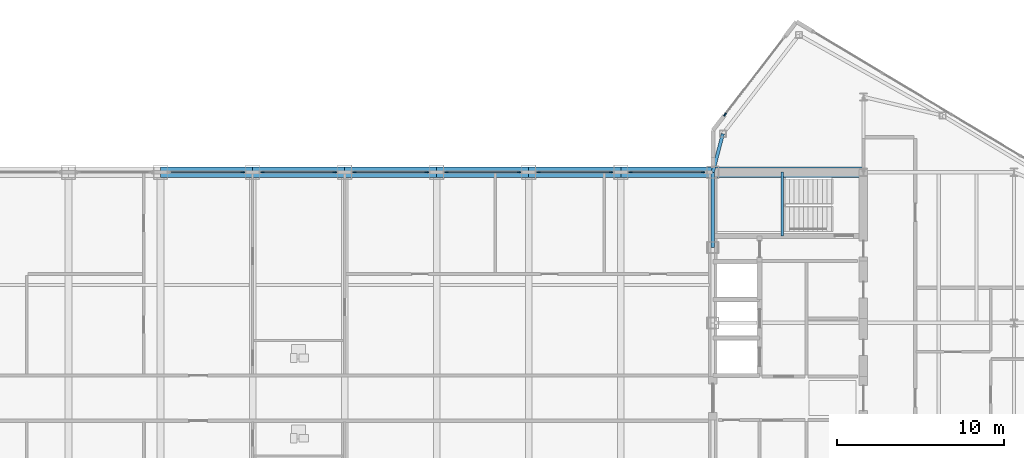
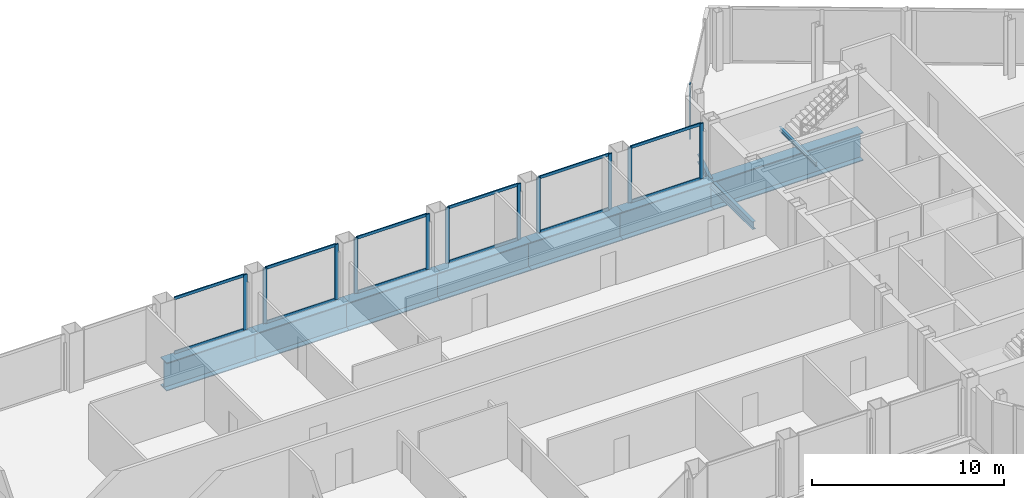
# One storey, part 16 of 29: 24 members, 10 beams, 7 elements without a shape of their own.
"""IFC4 building model written with IfcOpenShell, lengths in metres."""

from ifc_helpers import new_model, si_unit, direction, frame, origin, origin_2d, place, context, subcontext, project, spatial, rectangle, i_section, extrude, source, transform, mapped, material, layer, layer_set, material_profile, profile_set, type_object, type_shapes, element, aggregate, save


model = new_model("IFC4")

# Units and contexts
model_context = context("Model", 3, precision=1e-05, world=origin(), true_north=direction((0.0, 1.0)))
body_context = subcontext(model_context, "Body", "Model", "MODEL_VIEW")
ifc_project = project(units=[si_unit("LENGTHUNIT", "METRE"), si_unit("AREAUNIT", "SQUARE_METRE"), si_unit("VOLUMEUNIT", "CUBIC_METRE"), si_unit("PLANEANGLEUNIT", "RADIAN"), si_unit("MASSUNIT", "GRAM", prefix="KILO")], contexts=[model_context])

# Site, building, storey
site_placement = place(None, origin())
site = spatial("IfcSite", under=ifc_project, at=site_placement, CompositionType="ELEMENT")
building_placement = place(site_placement, origin())
building = spatial("IfcBuilding", under=site, at=building_placement, Name="Seokmaru Belvedere", CompositionType="ELEMENT")
storey_placement = place(building_placement, frame((0.0, 0.0, 239.39990234375)))
storey = spatial("IfcBuildingStorey", under=building, at=storey_placement, Name="L63", CompositionType="ELEMENT", Elevation=239.39990234375)

# Beams
ifc_material_1 = material(Name="Steel SM355 (355 MPa)", Category="steel")
ifc_material_profile_1 = material_profile(ifc_material_1, i_section(OverallWidth=0.199951171875, OverallDepth=0.5, WebThickness=0.010009765625, FlangeThickness=0.01611328125, at=origin_2d()), Name="H-500x200x10x16")
ifc_profile_set_1 = profile_set([ifc_material_profile_1], Name="Steel SM355 (355 MPa)")
beam_type_1 = type_object("IfcBeamType", Name="Perimeter Spandrel Beam H-500", PredefinedType="SPANDREL", material=ifc_profile_set_1)
shared_shape_1 = source(origin(), body_context, "Body", "SweptSolid", [
    extrude(i_section(OverallWidth=0.199951171875, OverallDepth=0.5, WebThickness=0.010009765625, FlangeThickness=0.01611328125, at=origin_2d()), origin(), (0.0, 0.0, 1.0), 4.5),
])
beam_1_placement = place(storey_placement, frame((27.5, 9.0, -0.469970703125), z_axis=(0.0, 1.0, 0.0), x_axis=(-1.0, 0.0, 0.0)))
element("IfcBeam", 1, at=beam_1_placement, inside=storey, type_object=beam_type_1, Name="L63 E Portal Spine Spandrel 5", PredefinedType="SPANDREL", context=body_context, shape_type="MappedRepresentation", body=[
    mapped(shared_shape_1, transform((0.0, 0.0, 0.0), scale=1.0)),
])
shared_shape_2 = source(origin(), body_context, "Body", "SweptSolid", [
    extrude(i_section(OverallWidth=0.199951171875, OverallDepth=0.5, WebThickness=0.010009765625, FlangeThickness=0.01611328125, at=origin_2d()), origin(), (0.0, 0.0, 1.0), 2.373046875),
])
type_shapes(beam_type_1, [shared_shape_1, shared_shape_2])
beam_2_placement = place(storey_placement, frame((28.10009765625, 15.7958984375, -0.469970703125), z_axis=(-0.252882558842, -0.967496982648, 0.0), x_axis=(0.967496982648, -0.252882558842, 0.0)))
element("IfcBeam", 2, at=beam_2_placement, inside=storey, type_object=beam_type_1, Name="L63 E Shoulder Spine Spandrel N", PredefinedType="SPANDREL", context=body_context, shape_type="MappedRepresentation", body=[
    mapped(shared_shape_2, transform((0.0, 0.0, 0.0), scale=1.0)),
])
ifc_material_2 = material(Name="Steel HSA650 (650 MPa)", Category="steel")
ifc_material_profile_2 = material_profile(ifc_material_2, i_section(OverallWidth=0.64990234375, OverallDepth=1.800048828125, WebThickness=0.031982421875, FlangeThickness=0.054931640625, at=origin_2d()), Name="BH-1800x650x32x55")
ifc_profile_set_2 = profile_set([ifc_material_profile_2], Name="Steel HSA650 (650 MPa)")
beam_type_2 = type_object("IfcBeamType", Name="Sky-Gate Upper Bridge Chord Girder BH-1800", PredefinedType="BEAM", material=ifc_profile_set_2)
shared_shape_3 = source(origin(), body_context, "Body", "SweptSolid", [
    extrude(i_section(OverallWidth=0.64990234375, OverallDepth=1.800048828125, WebThickness=0.031982421875, FlangeThickness=0.054931640625, at=origin_2d()), origin(), (0.0, 0.0, 1.0), 9.0),
])
beam_3_placement = place(storey_placement, frame((27.5, 13.5, -1.119873046875), z_axis=(1.0, 0.0, 0.0), x_axis=(0.0, 1.0, 0.0)))
element("IfcBeam", 3, at=beam_3_placement, inside=storey, type_object=beam_type_2, Name="L63 Sky-Gate Transfer Truss Chord N-12", PredefinedType="BEAM", context=body_context, shape_type="MappedRepresentation", body=[
    mapped(shared_shape_3, transform((0.0, 0.0, 0.0), scale=1.0)),
])
shared_shape_4 = source(origin(), body_context, "Body", "SweptSolid", [
    extrude(i_section(OverallWidth=0.64990234375, OverallDepth=1.800048828125, WebThickness=0.031982421875, FlangeThickness=0.054931640625, at=origin_2d()), origin(), (0.0, 0.0, 1.0), 5.5),
])
type_shapes(beam_type_2, [shared_shape_3, shared_shape_4])
for number, where, z_axis, x_axis, name in (
    (4, (-5.5, 13.5, -1.119873046875), (1.0, 0.0, 0.0), (0.0, 1.0, 0.0), "L63 Sky-Gate Transfer Truss Chord N-06"),
    (5, (0.0, 13.5, -1.119873046875), (1.0, 0.0, 0.0), (0.0, 1.0, 0.0), "L63 Sky-Gate Transfer Truss Chord N-07"),
    (6, (5.5, 13.5, -1.119873046875), (1.0, 0.0, 0.0), (0.0, 1.0, 0.0), "L63 Sky-Gate Transfer Truss Chord N-08"),
    (7, (11.0, 13.5, -1.119873046875), (1.0, 0.0, 0.0), (0.0, 1.0, 0.0), "L63 Sky-Gate Transfer Truss Chord N-09"),
    (8, (16.5, 13.5, -1.119873046875), (1.0, 0.0, 0.0), (0.0, 1.0, 0.0), "L63 Sky-Gate Transfer Truss Chord N-10"),
    (9, (22.0, 13.5, -1.119873046875), (1.0, 0.0, 0.0), (0.0, 1.0, 0.0), "L63 Sky-Gate Transfer Truss Chord N-11"),
):
    element("IfcBeam", number, at=place(storey_placement, frame(where, z_axis=z_axis, x_axis=x_axis)), inside=storey, type_object=beam_type_2, Name=name, PredefinedType="BEAM", context=body_context, shape_type="MappedRepresentation", body=[
        mapped(shared_shape_4, transform((0.0, 0.0, 0.0), scale=1.0)),
    ])

# Curtain wall, members
ifc_material_3 = material(Name="Bronze Triple Insulating Glass", Category="glass")
ifc_layer = layer(ifc_material_3, 0.219970703125)
ifc_layer_set = layer_set([ifc_layer], Name="Bronze Triple Insulating Glass")
curtain_wall_type = type_object("IfcCurtainWallType", Name="Sky-Gate Bridge Panorama Curtain Wall System CW-6", PredefinedType="NOTDEFINED", material=ifc_layer_set)
curtain_wall_1_placement = place(storey_placement, origin())
curtain_wall_1 = element("IfcCurtainWall", 10, at=curtain_wall_1_placement, inside=storey, type_object=curtain_wall_type, Name="L63 Curtain Wall BR_N05", PredefinedType="NOTDEFINED")
ifc_material_4 = material(Name="Anodised Bronze Aluminium", Category="aluminium")
ifc_material_profile_3 = material_profile(ifc_material_4, rectangle(XDim=0.074951171875, YDim=0.179931640625, at=origin_2d()), Name="CW-T-75x180")
ifc_profile_set_3 = profile_set([ifc_material_profile_3], Name="Anodised Bronze Aluminium")
member_type_1 = type_object("IfcMemberType", Name="Bronze Unitised Transom 75x180", PredefinedType="USERDEFINED", material=ifc_profile_set_3)
shared_shape_5 = source(origin(), body_context, "Body", "SweptSolid", [
    extrude(rectangle(XDim=0.074951171875, YDim=0.179931640625, at=origin_2d()), origin(), (0.0, 0.0, 1.0), 4.240234375),
])
type_shapes(member_type_1, [shared_shape_5])
member_1_placement = place(storey_placement, frame((-0.6298828125, 13.5, 0.03759765625), z_axis=(-1.0, 0.0, 0.0), x_axis=(0.0, -1.0, 0.0)))
member_1 = element("IfcMember", 11, at=member_1_placement, type_object=member_type_1, Name="CW:L63:BR_N05 Continuous Transom 1", ObjectType="TRANSOM", PredefinedType="USERDEFINED", context=body_context, shape_type="MappedRepresentation", body=[
    mapped(shared_shape_5, transform((0.0, 0.0, 0.0), scale=1.0)),
])
member_2_placement = place(storey_placement, frame((-0.6298828125, 13.5, 3.49267578125), z_axis=(-1.0, 0.0, 0.0), x_axis=(0.0, -1.0, 0.0)))
member_2 = element("IfcMember", 12, at=member_2_placement, type_object=member_type_1, Name="CW:L63:BR_N05 Continuous Transom 2", ObjectType="TRANSOM", PredefinedType="USERDEFINED", context=body_context, shape_type="MappedRepresentation", body=[
    mapped(shared_shape_5, transform((0.0, 0.0, 0.0), scale=1.0)),
])

curtain_wall_2_placement = place(storey_placement, origin())
curtain_wall_2 = element("IfcCurtainWall", 13, at=curtain_wall_2_placement, inside=storey, type_object=curtain_wall_type, Name="L63 Curtain Wall BR_N06", PredefinedType="NOTDEFINED")
member_3_placement = place(storey_placement, frame((4.8701171875, 13.5, 0.03759765625), z_axis=(-1.0, 0.0, 0.0), x_axis=(0.0, -1.0, 0.0)))
member_3 = element("IfcMember", 14, at=member_3_placement, type_object=member_type_1, Name="CW:L63:BR_N06 Continuous Transom 1", ObjectType="TRANSOM", PredefinedType="USERDEFINED", context=body_context, shape_type="MappedRepresentation", body=[
    mapped(shared_shape_5, transform((0.0, 0.0, 0.0), scale=1.0)),
])
member_4_placement = place(storey_placement, frame((4.8701171875, 13.5, 3.49267578125), z_axis=(-1.0, 0.0, 0.0), x_axis=(0.0, -1.0, 0.0)))
member_4 = element("IfcMember", 15, at=member_4_placement, type_object=member_type_1, Name="CW:L63:BR_N06 Continuous Transom 2", ObjectType="TRANSOM", PredefinedType="USERDEFINED", context=body_context, shape_type="MappedRepresentation", body=[
    mapped(shared_shape_5, transform((0.0, 0.0, 0.0), scale=1.0)),
])

curtain_wall_3_placement = place(storey_placement, origin())
curtain_wall_3 = element("IfcCurtainWall", 16, at=curtain_wall_3_placement, inside=storey, type_object=curtain_wall_type, Name="L63 Curtain Wall BR_N07", PredefinedType="NOTDEFINED")
member_5_placement = place(storey_placement, frame((10.3701171875, 13.5, 0.03759765625), z_axis=(-1.0, 0.0, 0.0), x_axis=(0.0, -1.0, 0.0)))
member_5 = element("IfcMember", 17, at=member_5_placement, type_object=member_type_1, Name="CW:L63:BR_N07 Continuous Transom 1", ObjectType="TRANSOM", PredefinedType="USERDEFINED", context=body_context, shape_type="MappedRepresentation", body=[
    mapped(shared_shape_5, transform((0.0, 0.0, 0.0), scale=1.0)),
])
member_6_placement = place(storey_placement, frame((10.3701171875, 13.5, 3.49267578125), z_axis=(-1.0, 0.0, 0.0), x_axis=(0.0, -1.0, 0.0)))
member_6 = element("IfcMember", 18, at=member_6_placement, type_object=member_type_1, Name="CW:L63:BR_N07 Continuous Transom 2", ObjectType="TRANSOM", PredefinedType="USERDEFINED", context=body_context, shape_type="MappedRepresentation", body=[
    mapped(shared_shape_5, transform((0.0, 0.0, 0.0), scale=1.0)),
])

curtain_wall_4_placement = place(storey_placement, origin())
curtain_wall_4 = element("IfcCurtainWall", 19, at=curtain_wall_4_placement, inside=storey, type_object=curtain_wall_type, Name="L63 Curtain Wall BR_N08", PredefinedType="NOTDEFINED")
member_7_placement = place(storey_placement, frame((15.8701171875, 13.5, 0.03759765625), z_axis=(-1.0, 0.0, 0.0), x_axis=(0.0, -1.0, 0.0)))
member_7 = element("IfcMember", 20, at=member_7_placement, type_object=member_type_1, Name="CW:L63:BR_N08 Continuous Transom 1", ObjectType="TRANSOM", PredefinedType="USERDEFINED", context=body_context, shape_type="MappedRepresentation", body=[
    mapped(shared_shape_5, transform((0.0, 0.0, 0.0), scale=1.0)),
])
member_8_placement = place(storey_placement, frame((15.8701171875, 13.5, 3.49267578125), z_axis=(-1.0, 0.0, 0.0), x_axis=(0.0, -1.0, 0.0)))
member_8 = element("IfcMember", 21, at=member_8_placement, type_object=member_type_1, Name="CW:L63:BR_N08 Continuous Transom 2", ObjectType="TRANSOM", PredefinedType="USERDEFINED", context=body_context, shape_type="MappedRepresentation", body=[
    mapped(shared_shape_5, transform((0.0, 0.0, 0.0), scale=1.0)),
])

curtain_wall_5_placement = place(storey_placement, origin())
curtain_wall_5 = element("IfcCurtainWall", 22, at=curtain_wall_5_placement, inside=storey, type_object=curtain_wall_type, Name="L63 Curtain Wall BR_N09", PredefinedType="NOTDEFINED")
member_9_placement = place(storey_placement, frame((21.3701171875, 13.5, 0.03759765625), z_axis=(-1.0, 0.0, 0.0), x_axis=(0.0, -1.0, 0.0)))
member_9 = element("IfcMember", 23, at=member_9_placement, type_object=member_type_1, Name="CW:L63:BR_N09 Continuous Transom 1", ObjectType="TRANSOM", PredefinedType="USERDEFINED", context=body_context, shape_type="MappedRepresentation", body=[
    mapped(shared_shape_5, transform((0.0, 0.0, 0.0), scale=1.0)),
])
member_10_placement = place(storey_placement, frame((21.3701171875, 13.5, 3.49267578125), z_axis=(-1.0, 0.0, 0.0), x_axis=(0.0, -1.0, 0.0)))
member_10 = element("IfcMember", 24, at=member_10_placement, type_object=member_type_1, Name="CW:L63:BR_N09 Continuous Transom 2", ObjectType="TRANSOM", PredefinedType="USERDEFINED", context=body_context, shape_type="MappedRepresentation", body=[
    mapped(shared_shape_5, transform((0.0, 0.0, 0.0), scale=1.0)),
])

curtain_wall_6_placement = place(storey_placement, origin())
curtain_wall_6 = element("IfcCurtainWall", 25, at=curtain_wall_6_placement, inside=storey, type_object=curtain_wall_type, Name="L63 Curtain Wall BR_N10", PredefinedType="NOTDEFINED")
member_11_placement = place(storey_placement, frame((26.8701171875, 13.5, 0.03759765625), z_axis=(-1.0, 0.0, 0.0), x_axis=(0.0, -1.0, 0.0)))
member_11 = element("IfcMember", 26, at=member_11_placement, type_object=member_type_1, Name="CW:L63:BR_N10 Continuous Transom 1", ObjectType="TRANSOM", PredefinedType="USERDEFINED", context=body_context, shape_type="MappedRepresentation", body=[
    mapped(shared_shape_5, transform((0.0, 0.0, 0.0), scale=1.0)),
])
member_12_placement = place(storey_placement, frame((26.8701171875, 13.5, 3.49267578125), z_axis=(-1.0, 0.0, 0.0), x_axis=(0.0, -1.0, 0.0)))
member_12 = element("IfcMember", 27, at=member_12_placement, type_object=member_type_1, Name="CW:L63:BR_N10 Continuous Transom 2", ObjectType="TRANSOM", PredefinedType="USERDEFINED", context=body_context, shape_type="MappedRepresentation", body=[
    mapped(shared_shape_5, transform((0.0, 0.0, 0.0), scale=1.0)),
])

# Curtain wall, member
curtain_wall_7_placement = place(storey_placement, origin())
curtain_wall_7 = element("IfcCurtainWall", 28, at=curtain_wall_7_placement, inside=storey, type_object=curtain_wall_type, Name="L63 Curtain Wall EF4", PredefinedType="NOTDEFINED")
ifc_material_profile_4 = material_profile(ifc_material_4, rectangle(XDim=0.080078125, YDim=0.219970703125, at=origin_2d()), Name="CW-M-80x220")
ifc_profile_set_4 = profile_set([ifc_material_profile_4], Name="Anodised Bronze Aluminium")
member_type_2 = type_object("IfcMemberType", Name="Bronze Unitised Mullion 80x220", PredefinedType="MULLION", material=ifc_profile_set_4)
shared_shape_6 = source(origin(), body_context, "Body", "SweptSolid", [
    extrude(rectangle(XDim=0.080078125, YDim=0.219970703125, at=origin_2d()), origin(), (0.0, 0.0, 1.0), 3.530029296875),
])
type_shapes(member_type_2, [shared_shape_6])
member_13_placement = place(storey_placement, frame((28.2255859375, 16.943115234375, 0.0), z_axis=(0.0, 0.0, 1.0), x_axis=(0.792631353244, -0.609701187349, 0.0)))
member_13 = element("IfcMember", 29, at=member_13_placement, type_object=member_type_2, Name="CW:L63:EF4 Mullion 2", PredefinedType="MULLION", context=body_context, shape_type="MappedRepresentation", body=[
    mapped(shared_shape_6, transform((0.0, 0.0, 0.0), scale=1.0)),
])
aggregate(curtain_wall_7, [member_13])

# Member
member_14_placement = place(storey_placement, frame((-0.590087890625, 13.5, 0.0), z_axis=(0.0, 0.0, 1.0), x_axis=(0.0, -1.0, 0.0)))
member_14 = element("IfcMember", 30, at=member_14_placement, type_object=member_type_2, Name="CW:L63:BR_N05 Mullion 1", PredefinedType="MULLION", context=body_context, shape_type="MappedRepresentation", body=[
    mapped(shared_shape_6, transform((0.0, 0.0, 0.0), scale=1.0)),
])

aggregate(curtain_wall_1, [member_14, member_1, member_2])

member_15_placement = place(storey_placement, frame((4.909912109375, 13.5, 0.0), z_axis=(0.0, 0.0, 1.0), x_axis=(0.0, -1.0, 0.0)))
member_15 = element("IfcMember", 31, at=member_15_placement, type_object=member_type_2, Name="CW:L63:BR_N06 Mullion 1", PredefinedType="MULLION", context=body_context, shape_type="MappedRepresentation", body=[
    mapped(shared_shape_6, transform((0.0, 0.0, 0.0), scale=1.0)),
])

member_16_placement = place(storey_placement, frame((0.590087890625, 13.5, 0.0), z_axis=(0.0, 0.0, 1.0), x_axis=(0.0, -1.0, 0.0)))
member_16 = element("IfcMember", 32, at=member_16_placement, type_object=member_type_2, Name="CW:L63:BR_N06 Mullion 2", PredefinedType="MULLION", context=body_context, shape_type="MappedRepresentation", body=[
    mapped(shared_shape_6, transform((0.0, 0.0, 0.0), scale=1.0)),
])

aggregate(curtain_wall_2, [member_15, member_16, member_3, member_4])

member_17_placement = place(storey_placement, frame((10.409912109375, 13.5, 0.0), z_axis=(0.0, 0.0, 1.0), x_axis=(0.0, -1.0, 0.0)))
member_17 = element("IfcMember", 33, at=member_17_placement, type_object=member_type_2, Name="CW:L63:BR_N07 Mullion 1", PredefinedType="MULLION", context=body_context, shape_type="MappedRepresentation", body=[
    mapped(shared_shape_6, transform((0.0, 0.0, 0.0), scale=1.0)),
])

member_18_placement = place(storey_placement, frame((6.090087890625, 13.5, 0.0), z_axis=(0.0, 0.0, 1.0), x_axis=(0.0, -1.0, 0.0)))
member_18 = element("IfcMember", 34, at=member_18_placement, type_object=member_type_2, Name="CW:L63:BR_N07 Mullion 2", PredefinedType="MULLION", context=body_context, shape_type="MappedRepresentation", body=[
    mapped(shared_shape_6, transform((0.0, 0.0, 0.0), scale=1.0)),
])

aggregate(curtain_wall_3, [member_17, member_18, member_5, member_6])

member_19_placement = place(storey_placement, frame((15.909912109375, 13.5, 0.0), z_axis=(0.0, 0.0, 1.0), x_axis=(0.0, -1.0, 0.0)))
member_19 = element("IfcMember", 35, at=member_19_placement, type_object=member_type_2, Name="CW:L63:BR_N08 Mullion 1", PredefinedType="MULLION", context=body_context, shape_type="MappedRepresentation", body=[
    mapped(shared_shape_6, transform((0.0, 0.0, 0.0), scale=1.0)),
])

member_20_placement = place(storey_placement, frame((11.590087890625, 13.5, 0.0), z_axis=(0.0, 0.0, 1.0), x_axis=(0.0, -1.0, 0.0)))
member_20 = element("IfcMember", 36, at=member_20_placement, type_object=member_type_2, Name="CW:L63:BR_N08 Mullion 2", PredefinedType="MULLION", context=body_context, shape_type="MappedRepresentation", body=[
    mapped(shared_shape_6, transform((0.0, 0.0, 0.0), scale=1.0)),
])

aggregate(curtain_wall_4, [member_19, member_20, member_7, member_8])

member_21_placement = place(storey_placement, frame((21.409912109375, 13.5, 0.0), z_axis=(0.0, 0.0, 1.0), x_axis=(0.0, -1.0, 0.0)))
member_21 = element("IfcMember", 37, at=member_21_placement, type_object=member_type_2, Name="CW:L63:BR_N09 Mullion 1", PredefinedType="MULLION", context=body_context, shape_type="MappedRepresentation", body=[
    mapped(shared_shape_6, transform((0.0, 0.0, 0.0), scale=1.0)),
])

member_22_placement = place(storey_placement, frame((17.090087890625, 13.5, 0.0), z_axis=(0.0, 0.0, 1.0), x_axis=(0.0, -1.0, 0.0)))
member_22 = element("IfcMember", 38, at=member_22_placement, type_object=member_type_2, Name="CW:L63:BR_N09 Mullion 2", PredefinedType="MULLION", context=body_context, shape_type="MappedRepresentation", body=[
    mapped(shared_shape_6, transform((0.0, 0.0, 0.0), scale=1.0)),
])

aggregate(curtain_wall_5, [member_21, member_22, member_9, member_10])

member_23_placement = place(storey_placement, frame((26.909912109375, 13.5, 0.0), z_axis=(0.0, 0.0, 1.0), x_axis=(0.0, -1.0, 0.0)))
member_23 = element("IfcMember", 39, at=member_23_placement, type_object=member_type_2, Name="CW:L63:BR_N10 Mullion 1", PredefinedType="MULLION", context=body_context, shape_type="MappedRepresentation", body=[
    mapped(shared_shape_6, transform((0.0, 0.0, 0.0), scale=1.0)),
])

member_24_placement = place(storey_placement, frame((22.590087890625, 13.5, 0.0), z_axis=(0.0, 0.0, 1.0), x_axis=(0.0, -1.0, 0.0)))
member_24 = element("IfcMember", 40, at=member_24_placement, type_object=member_type_2, Name="CW:L63:BR_N10 Mullion 2", PredefinedType="MULLION", context=body_context, shape_type="MappedRepresentation", body=[
    mapped(shared_shape_6, transform((0.0, 0.0, 0.0), scale=1.0)),
])

aggregate(curtain_wall_6, [member_23, member_24, member_11, member_12])

# Beam
ifc_material_profile_5 = material_profile(ifc_material_1, i_section(OverallWidth=0.125, OverallDepth=0.25, WebThickness=0.006103515625, FlangeThickness=0.009033203125, at=origin_2d()), Name="H-250x125x6x9")
ifc_profile_set_5 = profile_set([ifc_material_profile_5], Name="Steel SM355 (355 MPa)")
beam_type_3 = type_object("IfcBeamType", Name="Stair Mid-Landing Support Beam H-250", PredefinedType="JOIST", material=ifc_profile_set_5)
shared_shape_7 = source(origin(), body_context, "Body", "SweptSolid", [
    extrude(i_section(OverallWidth=0.125, OverallDepth=0.25, WebThickness=0.006103515625, FlangeThickness=0.009033203125, at=origin_2d()), origin(), (0.0, 0.0, 1.0), 3.800048828125),
])
type_shapes(beam_type_3, [shared_shape_7])
beam_4_placement = place(storey_placement, frame((31.64990234375, 9.699951171875, 1.550048828125), z_axis=(0.0, 1.0, 0.0), x_axis=(-1.0, 0.0, 0.0)))
element("IfcBeam", 41, at=beam_4_placement, inside=storey, type_object=beam_type_3, Name="L63 Stair ST-E2 Mid-Landing Support Beam 1", PredefinedType="JOIST", context=body_context, shape_type="MappedRepresentation", body=[
    mapped(shared_shape_7, transform((0.0, 0.0, 0.0), scale=1.0)),
])

save(model, "model.ifc")
